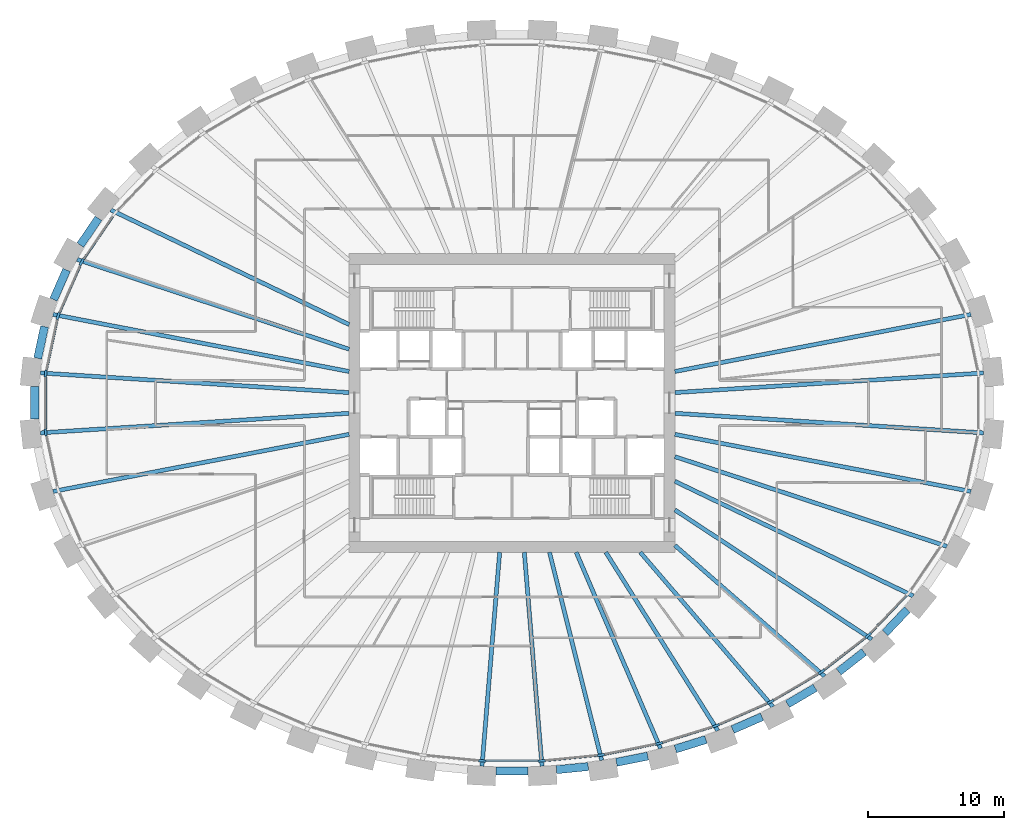
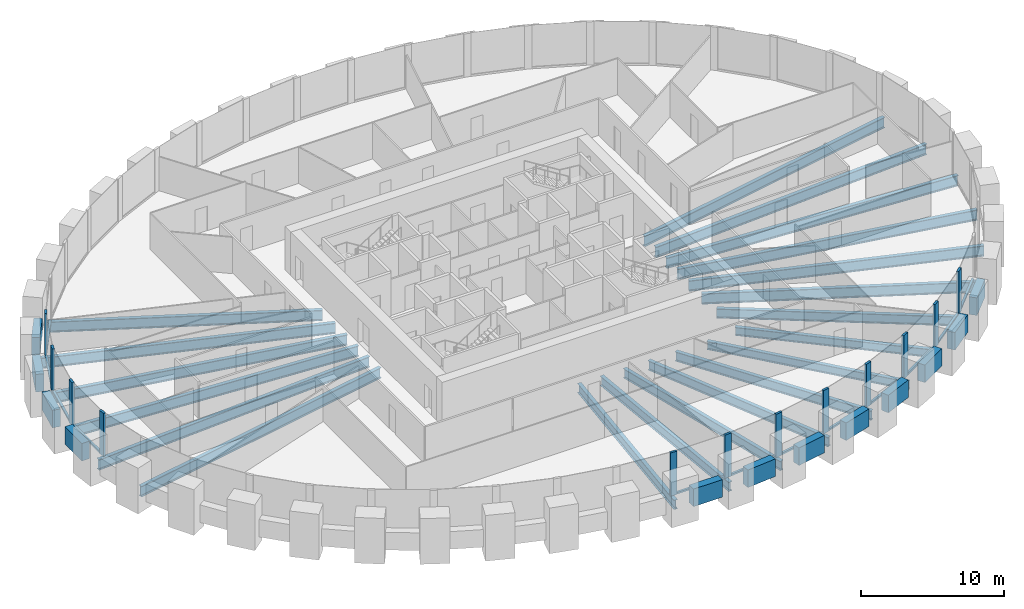
# One storey, part 2 of 11: 32 beams, 24 members, 1 element without a shape of its own.
"""IFC4 building model written with IfcOpenShell, lengths in metres."""

from ifc_helpers import new_model, si_unit, direction, frame, origin, origin_2d, place, context, subcontext, project, spatial, rectangle, i_section, extrude, source, transform, mapped, material, material_profile, profile_set, type_object, element, aggregate, save


model = new_model("IFC4")

# Units and contexts
model_context = context("Model", 3, precision=1e-05, world=origin(), true_north=direction((0.0, 1.0)))
body_context = subcontext(model_context, "Body", "Model", "MODEL_VIEW")
ifc_project = project(units=[si_unit("LENGTHUNIT", "METRE"), si_unit("AREAUNIT", "SQUARE_METRE"), si_unit("VOLUMEUNIT", "CUBIC_METRE"), si_unit("PLANEANGLEUNIT", "RADIAN"), si_unit("MASSUNIT", "GRAM", prefix="KILO")], contexts=[model_context])

# Site, building, storey
site_placement = place(None, origin())
site = spatial("IfcSite", under=ifc_project, at=site_placement, CompositionType="ELEMENT")
building_placement = place(site_placement, origin())
building = spatial("IfcBuilding", under=site, at=building_placement, Name="Embergate Tower", CompositionType="ELEMENT")
storey_placement = place(building_placement, frame((0.0, 0.0, 215.10009765625)))
storey = spatial("IfcBuildingStorey", under=building, at=storey_placement, Name="L49", CompositionType="ELEMENT", Elevation=215.10009765625)

# Beams
ifc_material_1 = material(Name="Concrete C60", Category="concrete")
ifc_material_profile_1 = material_profile(ifc_material_1, rectangle(XDim=0.60009765625, YDim=1.5, at=origin_2d()), Name="RC 600x1500")
ifc_profile_set_1 = profile_set([ifc_material_profile_1], Name="Concrete C60")
beam_type_1 = type_object("IfcBeamType", Name="Spandrel beam RC 600x1500 C60", PredefinedType="BEAM", material=ifc_profile_set_1)
shared_shape_1 = source(origin(), body_context, "Body", "SweptSolid", [
    extrude(rectangle(XDim=0.60009765625, YDim=1.5, at=origin_2d()), origin(), (0.0, 0.0, 1.0), 2.3896484375),
])
beam_1_placement = place(storey_placement, frame((-34.43603515625, 5.62109375, 0.0), z_axis=(-0.21045693854, -0.977603128586, 0.0), x_axis=(0.977603128586, -0.21045693854, 0.0)))
element("IfcBeam", 1, at=beam_1_placement, inside=storey, type_object=beam_type_1, Name="SPN-L49-20", PredefinedType="BEAM", context=body_context, shape_type="MappedRepresentation", body=[
    mapped(shared_shape_1, transform((0.0, 0.0, 0.0))),
])
shared_shape_2 = source(origin(), body_context, "Body", "SweptSolid", [
    extrude(rectangle(XDim=0.60009765625, YDim=1.5, at=origin_2d()), origin(), (0.0, 0.0, 1.0), 2.3837890625),
])
beam_2_placement = place(storey_placement, frame((-32.81298828125, 9.7958984375, 0.0), z_axis=(-0.401876968148, -0.915693672836, 0.0), x_axis=(0.915693672836, -0.401876968148, 0.0)))
element("IfcBeam", 2, at=beam_2_placement, inside=storey, type_object=beam_type_1, Name="SPN-L49-19", PredefinedType="BEAM", context=body_context, shape_type="MappedRepresentation", body=[
    mapped(shared_shape_2, transform((0.0, 0.0, 0.0))),
])
shared_shape_3 = source(origin(), body_context, "Body", "SweptSolid", [
    extrude(rectangle(XDim=0.60009765625, YDim=1.5, at=origin_2d()), origin(), (0.0, 0.0, 1.0), 2.379150390625),
])
beam_3_placement = place(storey_placement, frame((-30.458984375, 13.60009765625, 0.0), z_axis=(-0.562467199194, -0.826819599327, 0.0), x_axis=(0.826819599327, -0.562467199194, 0.0)))
element("IfcBeam", 3, at=beam_3_placement, inside=storey, type_object=beam_type_1, Name="SPN-L49-18", PredefinedType="BEAM", context=body_context, shape_type="MappedRepresentation", body=[
    mapped(shared_shape_3, transform((0.0, 0.0, 0.0))),
])
shared_shape_4 = source(origin(), body_context, "Body", "SweptSolid", [
    extrude(rectangle(XDim=0.60009765625, YDim=1.5, at=origin_2d()), origin(), (0.0, 0.0, 1.0), 2.370849609375),
])
beam_4_placement = place(storey_placement, frame((27.488037109375, -16.93701171875, 0.0), z_axis=(0.690017631866, 0.723792558482, 0.0), x_axis=(-0.723792558482, 0.690017631866, 0.0)))
element("IfcBeam", 4, at=beam_4_placement, inside=storey, type_object=beam_type_1, Name="SPN-L49-39", PredefinedType="BEAM", context=body_context, shape_type="MappedRepresentation", body=[
    mapped(shared_shape_4, transform((0.0, 0.0, 0.0))),
])
shared_shape_5 = source(origin(), body_context, "Body", "SweptSolid", [
    extrude(rectangle(XDim=0.60009765625, YDim=1.5, at=origin_2d()), origin(), (0.0, 0.0, 1.0), 2.366943359375),
])
beam_5_placement = place(storey_placement, frame((24.06591796875, -19.802001953125, 0.0), z_axis=(0.788379233054, 0.615189552, 0.0), x_axis=(-0.615189552, 0.788379233054, 0.0)))
element("IfcBeam", 5, at=beam_5_placement, inside=storey, type_object=beam_type_1, Name="SPN-L49-38", PredefinedType="BEAM", context=body_context, shape_type="MappedRepresentation", body=[
    mapped(shared_shape_5, transform((0.0, 0.0, 0.0))),
])
shared_shape_6 = source(origin(), body_context, "Body", "SweptSolid", [
    extrude(rectangle(XDim=0.60009765625, YDim=1.5, at=origin_2d()), origin(), (0.0, 0.0, 1.0), 2.36279296875),
])
beam_6_placement = place(storey_placement, frame((20.2919921875, -22.179931640625, 0.0), z_axis=(0.862170527893, 0.50661818052, 0.0), x_axis=(-0.50661818052, 0.862170527893, 0.0)))
element("IfcBeam", 6, at=beam_6_placement, inside=storey, type_object=beam_type_1, Name="SPN-L49-37", PredefinedType="BEAM", context=body_context, shape_type="MappedRepresentation", body=[
    mapped(shared_shape_6, transform((0.0, 0.0, 0.0))),
])
shared_shape_7 = source(origin(), body_context, "Body", "SweptSolid", [
    extrude(rectangle(XDim=0.60009765625, YDim=1.5, at=origin_2d()), origin(), (0.0, 0.0, 1.0), 2.357421875),
])
beam_7_placement = place(storey_placement, frame((16.2529296875, -24.06103515625, 0.0), z_axis=(0.91630938503, 0.400471111201, 0.0), x_axis=(-0.400471111201, 0.91630938503, 0.0)))
element("IfcBeam", 7, at=beam_7_placement, inside=storey, type_object=beam_type_1, Name="SPN-L49-36", PredefinedType="BEAM", context=body_context, shape_type="MappedRepresentation", body=[
    mapped(shared_shape_7, transform((0.0, 0.0, 0.0))),
])
shared_shape_8 = source(origin(), body_context, "Body", "SweptSolid", [
    extrude(rectangle(XDim=0.60009765625, YDim=1.5, at=origin_2d()), origin(), (0.0, 0.0, 1.0), 2.3564453125),
])
beam_8_placement = place(storey_placement, frame((12.035888671875, -25.49609375, 0.0), z_axis=(0.95483326256, 0.297142122073, 0.0), x_axis=(-0.297142122073, 0.95483326256, 0.0)))
element("IfcBeam", 8, at=beam_8_placement, inside=storey, type_object=beam_type_1, Name="SPN-L49-35", PredefinedType="BEAM", context=body_context, shape_type="MappedRepresentation", body=[
    mapped(shared_shape_8, transform((0.0, 0.0, 0.0))),
])
shared_shape_9 = source(origin(), body_context, "Body", "SweptSolid", [
    extrude(rectangle(XDim=0.60009765625, YDim=1.5, at=origin_2d()), origin(), (0.0, 0.0, 1.0), 2.353515625),
])
beam_9_placement = place(storey_placement, frame((7.693115234375, -26.47802734375, 0.0), z_axis=(0.980552738639, 0.196255768698, 0.0), x_axis=(-0.196255768698, 0.980552738639, 0.0)))
element("IfcBeam", 9, at=beam_9_placement, inside=storey, type_object=beam_type_1, Name="SPN-L49-34", PredefinedType="BEAM", context=body_context, shape_type="MappedRepresentation", body=[
    mapped(shared_shape_9, transform((0.0, 0.0, 0.0))),
])
shared_shape_10 = source(origin(), body_context, "Body", "SweptSolid", [
    extrude(rectangle(XDim=0.60009765625, YDim=1.5, at=origin_2d()), origin(), (0.0, 0.0, 1.0), 2.353271484375),
])
beam_10_placement = place(storey_placement, frame((3.27392578125, -27.01806640625, 0.0), z_axis=(0.99521330308, 0.097726564318, 0.0), x_axis=(-0.097726564318, 0.99521330308, 0.0)))
element("IfcBeam", 10, at=beam_10_placement, inside=storey, type_object=beam_type_1, Name="SPN-L49-33", PredefinedType="BEAM", context=body_context, shape_type="MappedRepresentation", body=[
    mapped(shared_shape_10, transform((0.0, 0.0, 0.0))),
])
shared_shape_11 = source(origin(), body_context, "Body", "SweptSolid", [
    extrude(rectangle(XDim=0.60009765625, YDim=1.5, at=origin_2d()), origin(), (0.0, 0.0, 1.0), 2.35205078125),
])
beam_11_placement = place(storey_placement, frame((-1.176025390625, -27.12109375, 0.0), z_axis=(1.0, 0.0, 0.0), x_axis=(0.0, 1.0, 0.0)))
element("IfcBeam", 11, at=beam_11_placement, inside=storey, type_object=beam_type_1, Name="SPN-L49-32", PredefinedType="BEAM", context=body_context, shape_type="MappedRepresentation", body=[
    mapped(shared_shape_11, transform((0.0, 0.0, 0.0))),
])
shared_shape_12 = source(origin(), body_context, "Body", "SweptSolid", [
    extrude(rectangle(XDim=0.60009765625, YDim=1.5, at=origin_2d()), origin(), (0.0, 0.0, 1.0), 2.39208984375),
])
beam_12_placement = place(storey_placement, frame((-35.160888671875, 1.196044921875, 0.0), z_axis=(0.0, -1.0, 0.0), x_axis=(1.0, 0.0, 0.0)))
element("IfcBeam", 12, at=beam_12_placement, inside=storey, type_object=beam_type_1, Name="SPN-L49-21", PredefinedType="BEAM", context=body_context, shape_type="MappedRepresentation", body=[
    mapped(shared_shape_12, transform((0.0, 0.0, 0.0))),
])
ifc_material_2 = material(Name="Steel Q355B", Category="steel")
ifc_material_profile_2 = material_profile(ifc_material_2, i_section(OverallWidth=0.300048828125, OverallDepth=0.89990234375, WebThickness=0.01611328125, FlangeThickness=0.028076171875, FilletRadius=0.028076171875, at=origin_2d()), Name="HN 900x300x16x28")
ifc_profile_set_2 = profile_set([ifc_material_profile_2], Name="Steel Q355 grade B")
beam_type_2 = type_object("IfcBeamType", Name="Radial girder HN 900x300x16x28", PredefinedType="BEAM", material=ifc_profile_set_2)
shared_shape_13 = source(origin(), body_context, "Body", "SweptSolid", [
    extrude(i_section(OverallWidth=0.300048828125, OverallDepth=0.89990234375, WebThickness=0.01611328125, FlangeThickness=0.028076171875, FilletRadius=0.028076171875, at=origin_2d()), origin(), (0.0, 0.0, 1.0), 22.786865234375),
])
for number, where, z_axis, x_axis, name in (
    (13, (34.740966796875, 2.20703125, -0.650146484375), (-0.997987128135, -0.063416812258, 0.0), (0.063416812258, -0.997987128135, 0.0), "GIR-L49-00"),
    (14, (-34.740966796875, 2.20703125, -0.650146484375), (0.997987128135, -0.063416812258, 0.0), (0.063416812258, 0.997987128135, 0.0), "GIR-L49-21"),
    (15, (-34.740966796875, -2.20703125, -0.650146484375), (0.997987128135, 0.063416812258, 0.0), (-0.063416812258, 0.997987128135, 0.0), "GIR-L49-22"),
    (16, (34.740966796875, -2.20703125, -0.650146484375), (-0.997987128135, 0.063416812258, 0.0), (-0.063416812258, -0.997987128135, 0.0), "GIR-L49-43"),
):
    element("IfcBeam", number, at=place(storey_placement, frame(where, z_axis=z_axis, x_axis=x_axis)), inside=storey, type_object=beam_type_2, Name=name, PredefinedType="BEAM", context=body_context, shape_type="MappedRepresentation", body=[
        mapped(shared_shape_13, transform((0.0, 0.0, 0.0))),
    ])
shared_shape_14 = source(origin(), body_context, "Body", "SweptSolid", [
    extrude(i_section(OverallWidth=0.300048828125, OverallDepth=0.89990234375, WebThickness=0.01611328125, FlangeThickness=0.028076171875, FilletRadius=0.028076171875, at=origin_2d()), origin(), (0.0, 0.0, 1.0), 22.214111328125),
])
for number, where, z_axis, x_axis, name in (
    (17, (33.81201171875, 6.52197265625, -0.650146484375), (-0.981902666563, -0.189386254508, 0.0), (0.189386254508, -0.981902666563, 0.0), "GIR-L49-01"),
    (18, (-33.81201171875, 6.52197265625, -0.650146484375), (0.981902666563, -0.189386254508, 0.0), (0.189386254508, 0.981902666563, 0.0), "GIR-L49-20"),
    (19, (-33.81201171875, -6.52197265625, -0.650146484375), (0.981902666563, 0.189386254508, 0.0), (-0.189386254508, 0.981902666563, 0.0), "GIR-L49-23"),
    (20, (33.81201171875, -6.52197265625, -0.650146484375), (-0.981902666563, 0.189386254508, 0.0), (-0.189386254508, -0.981902666563, 0.0), "GIR-L49-42"),
):
    element("IfcBeam", number, at=place(storey_placement, frame(where, z_axis=z_axis, x_axis=x_axis)), inside=storey, type_object=beam_type_2, Name=name, PredefinedType="BEAM", context=body_context, shape_type="MappedRepresentation", body=[
        mapped(shared_shape_14, transform((0.0, 0.0, 0.0))),
    ])
shared_shape_15 = source(origin(), body_context, "Body", "SweptSolid", [
    extrude(i_section(OverallWidth=0.300048828125, OverallDepth=0.89990234375, WebThickness=0.01611328125, FlangeThickness=0.028076171875, FilletRadius=0.028076171875, at=origin_2d()), origin(), (0.0, 0.0, 1.0), 21.100341796875),
])
for number, where, z_axis, x_axis, name in (
    (21, (-32.0390625, 10.56591796875, -0.650146484375), (0.949698867802, -0.313164590106, 0.0), (0.313164590106, 0.949698867802, 0.0), "GIR-L49-19"),
    (22, (32.0390625, -10.56591796875, -0.650146484375), (-0.949698867802, 0.313164590106, 0.0), (-0.313164590106, -0.949698867802, 0.0), "GIR-L49-41"),
):
    element("IfcBeam", number, at=place(storey_placement, frame(where, z_axis=z_axis, x_axis=x_axis)), inside=storey, type_object=beam_type_2, Name=name, PredefinedType="BEAM", context=body_context, shape_type="MappedRepresentation", body=[
        mapped(shared_shape_15, transform((0.0, 0.0, 0.0))),
    ])
shared_shape_16 = source(origin(), body_context, "Body", "SweptSolid", [
    extrude(i_section(OverallWidth=0.300048828125, OverallDepth=0.89990234375, WebThickness=0.01611328125, FlangeThickness=0.028076171875, FilletRadius=0.028076171875, at=origin_2d()), origin(), (0.0, 0.0, 1.0), 19.480712890625),
])
for number, where, z_axis, x_axis, name in (
    (23, (-29.554931640625, 14.218017578125, -0.650146484375), (0.901148212086, -0.433511130023, 0.0), (0.433511130023, 0.901148212086, 0.0), "GIR-L49-18"),
    (24, (29.554931640625, -14.218017578125, -0.650146484375), (-0.901148212086, 0.433511130023, 0.0), (-0.433511130023, -0.901148212086, 0.0), "GIR-L49-40"),
):
    element("IfcBeam", number, at=place(storey_placement, frame(where, z_axis=z_axis, x_axis=x_axis)), inside=storey, type_object=beam_type_2, Name=name, PredefinedType="BEAM", context=body_context, shape_type="MappedRepresentation", body=[
        mapped(shared_shape_16, transform((0.0, 0.0, 0.0))),
    ])
ifc_material_profile_3 = material_profile(ifc_material_2, i_section(OverallWidth=0.300048828125, OverallDepth=0.800048828125, WebThickness=0.013916015625, FlangeThickness=0.02587890625, FilletRadius=0.028076171875, at=origin_2d()), Name="HN 800x300x14x26")
ifc_profile_set_3 = profile_set([ifc_material_profile_3], Name="Steel Q355 grade B")
beam_type_3 = type_object("IfcBeamType", Name="Radial girder HN 800x300x14x26", PredefinedType="BEAM", material=ifc_profile_set_3)
shared_shape_17 = source(origin(), body_context, "Body", "SweptSolid", [
    extrude(i_section(OverallWidth=0.300048828125, OverallDepth=0.800048828125, WebThickness=0.013916015625, FlangeThickness=0.02587890625, FilletRadius=0.028076171875, at=origin_2d()), origin(), (0.0, 0.0, 1.0), 17.3583984375),
])
beam_13_placement = place(storey_placement, frame((26.507080078125, -17.416015625, -0.60009765625), z_axis=(-0.835738306524, 0.549127929547, 0.0), x_axis=(-0.549127929547, -0.835738306524, 0.0)))
element("IfcBeam", 25, at=beam_13_placement, inside=storey, type_object=beam_type_3, Name="GIR-L49-39", PredefinedType="BEAM", context=body_context, shape_type="MappedRepresentation", body=[
    mapped(shared_shape_17, transform((0.0, 0.0, 0.0))),
])
ifc_material_profile_4 = material_profile(ifc_material_2, i_section(OverallWidth=0.300048828125, OverallDepth=0.699951171875, WebThickness=0.012939453125, FlangeThickness=0.02392578125, FilletRadius=0.01806640625, at=origin_2d()), Name="HN 700x300x13x24")
ifc_profile_set_4 = profile_set([ifc_material_profile_4], Name="Steel Q355 grade B")
beam_type_4 = type_object("IfcBeamType", Name="Radial girder HN 700x300x13x24", PredefinedType="BEAM", material=ifc_profile_set_4)
shared_shape_18 = source(origin(), body_context, "Body", "SweptSolid", [
    extrude(i_section(OverallWidth=0.300048828125, OverallDepth=0.699951171875, WebThickness=0.012939453125, FlangeThickness=0.02392578125, FilletRadius=0.01806640625, at=origin_2d()), origin(), (0.0, 0.0, 1.0), 14.643798828125),
])
beam_14_placement = place(storey_placement, frame((23.02294921875, -20.134033203125, -0.550048828125), z_axis=(-0.752743981282, 0.658313374195, 0.0), x_axis=(-0.658313374195, -0.752743981282, 0.0)))
element("IfcBeam", 26, at=beam_14_placement, inside=storey, type_object=beam_type_4, Name="GIR-L49-38", PredefinedType="BEAM", context=body_context, shape_type="MappedRepresentation", body=[
    mapped(shared_shape_18, transform((0.0, 0.0, 0.0))),
])
shared_shape_19 = source(origin(), body_context, "Body", "SweptSolid", [
    extrude(i_section(OverallWidth=0.300048828125, OverallDepth=0.699951171875, WebThickness=0.012939453125, FlangeThickness=0.02392578125, FilletRadius=0.01806640625, at=origin_2d()), origin(), (0.0, 0.0, 1.0), 14.991943359375),
])
beam_15_placement = place(storey_placement, frame((19.212890625, -22.3740234375, -0.550048828125), z_axis=(-0.651471048315, 0.758673495785, 0.0), x_axis=(-0.758673495785, -0.651471048315, 0.0)))
element("IfcBeam", 27, at=beam_15_placement, inside=storey, type_object=beam_type_4, Name="GIR-L49-37", PredefinedType="BEAM", context=body_context, shape_type="MappedRepresentation", body=[
    mapped(shared_shape_19, transform((0.0, 0.0, 0.0))),
])
shared_shape_20 = source(origin(), body_context, "Body", "SweptSolid", [
    extrude(i_section(OverallWidth=0.300048828125, OverallDepth=0.800048828125, WebThickness=0.013916015625, FlangeThickness=0.02587890625, FilletRadius=0.028076171875, at=origin_2d()), origin(), (0.0, 0.0, 1.0), 15.522216796875),
])
beam_16_placement = place(storey_placement, frame((15.1640625, -24.14501953125, -0.60009765625), z_axis=(-0.531827158809, 0.846852922976, 0.0), x_axis=(-0.846852922976, -0.531827158809, 0.0)))
element("IfcBeam", 28, at=beam_16_placement, inside=storey, type_object=beam_type_3, Name="GIR-L49-36", PredefinedType="BEAM", context=body_context, shape_type="MappedRepresentation", body=[
    mapped(shared_shape_20, transform((0.0, 0.0, 0.0))),
])
shared_shape_21 = source(origin(), body_context, "Body", "SweptSolid", [
    extrude(i_section(OverallWidth=0.300048828125, OverallDepth=0.800048828125, WebThickness=0.013916015625, FlangeThickness=0.02587890625, FilletRadius=0.028076171875, at=origin_2d()), origin(), (0.0, 0.0, 1.0), 15.739013671875),
])
beam_17_placement = place(storey_placement, frame((10.943115234375, -25.4599609375, -0.60009765625), z_axis=(-0.394883218824, 0.918731322799, 0.0), x_axis=(-0.918731322799, -0.394883218824, 0.0)))
element("IfcBeam", 29, at=beam_17_placement, inside=storey, type_object=beam_type_3, Name="GIR-L49-35", PredefinedType="BEAM", context=body_context, shape_type="MappedRepresentation", body=[
    mapped(shared_shape_21, transform((0.0, 0.0, 0.0))),
])
shared_shape_22 = source(origin(), body_context, "Body", "SweptSolid", [
    extrude(i_section(OverallWidth=0.300048828125, OverallDepth=0.800048828125, WebThickness=0.013916015625, FlangeThickness=0.02587890625, FilletRadius=0.028076171875, at=origin_2d()), origin(), (0.0, 0.0, 1.0), 15.8046875),
])
beam_18_placement = place(storey_placement, frame((6.60888671875, -26.3291015625, -0.60009765625), z_axis=(-0.243465990326, 0.969909434718, 0.0), x_axis=(-0.969909434718, -0.243465990326, 0.0)))
element("IfcBeam", 30, at=beam_18_placement, inside=storey, type_object=beam_type_3, Name="GIR-L49-34", PredefinedType="BEAM", context=body_context, shape_type="MappedRepresentation", body=[
    mapped(shared_shape_22, transform((0.0, 0.0, 0.0))),
])
shared_shape_23 = source(origin(), body_context, "Body", "SweptSolid", [
    extrude(i_section(OverallWidth=0.300048828125, OverallDepth=0.800048828125, WebThickness=0.013916015625, FlangeThickness=0.02587890625, FilletRadius=0.028076171875, at=origin_2d()), origin(), (0.0, 0.0, 1.0), 15.814697265625),
])
for number, where, z_axis, x_axis, name in (
    (31, (-2.2099609375, -26.760986328125, -0.60009765625), (0.082328727809, 0.99660522805, 0.0), (-0.99660522805, 0.082328727809, 0.0), "GIR-L49-32"),
    (32, (2.2099609375, -26.760986328125, -0.60009765625), (-0.082328727809, 0.99660522805, 0.0), (-0.99660522805, -0.082328727809, 0.0), "GIR-L49-33"),
):
    element("IfcBeam", number, at=place(storey_placement, frame(where, z_axis=z_axis, x_axis=x_axis)), inside=storey, type_object=beam_type_3, Name=name, PredefinedType="BEAM", context=body_context, shape_type="MappedRepresentation", body=[
        mapped(shared_shape_23, transform((0.0, 0.0, 0.0))),
    ])

# Curtain wall, members
ifc_material_3 = material(Name="Aluminium and glass", Category="aluminium")
curtain_wall_type = type_object("IfcCurtainWallType", Name="Recessed office glazing", PredefinedType="NOTDEFINED", material=ifc_material_3)
curtain_wall_placement = place(storey_placement, origin())
curtain_wall = element("IfcCurtainWall", 33, at=curtain_wall_placement, inside=storey, type_object=curtain_wall_type, Name="Recessed office glazing ring", ObjectType="RECESSED OFFICE GLAZING", PredefinedType="USERDEFINED")
ifc_material_4 = material(Name="Aluminium, thermally broken", Category="aluminium")
ifc_material_profile_5 = material_profile(ifc_material_4, rectangle(XDim=0.179931640625, YDim=0.52001953125, at=origin_2d()), Name="AL 520x180")
ifc_profile_set_5 = profile_set([ifc_material_profile_5], Name="Aluminium, thermally broken")
member_type_1 = type_object("IfcMemberType", Name="Office mullion", PredefinedType="MULLION", material=ifc_profile_set_5)
shared_shape_24 = source(origin(), body_context, "Body", "SweptSolid", [
    extrude(rectangle(XDim=0.179931640625, YDim=0.52001953125, at=origin_2d()), origin(), (0.0, 0.0, 1.0), 3.699951171875),
])
member_1_placement = place(storey_placement, frame((-31.697998046875, 10.376220703125, 0.0), z_axis=(0.0, 0.0, 1.0), x_axis=(0.875002740779, -0.484117964581, 0.0)))
member_1 = element("IfcMember", 34, at=member_1_placement, type_object=member_type_1, Name="CW mullion 20", PredefinedType="MULLION", context=body_context, shape_type="MappedRepresentation", body=[
    mapped(shared_shape_24, transform((0.0, 0.0, 0.0))),
])
member_2_placement = place(storey_placement, frame((-33.44140625, 6.401611328125, 0.0), z_axis=(0.0, 0.0, 1.0), x_axis=(0.951497797992, -0.307655554826, 0.0)))
member_2 = element("IfcMember", 35, at=member_2_placement, type_object=member_type_1, Name="CW mullion 21", PredefinedType="MULLION", context=body_context, shape_type="MappedRepresentation", body=[
    mapped(shared_shape_24, transform((0.0, 0.0, 0.0))),
])
member_3_placement = place(storey_placement, frame((-34.35302734375, 2.165283203125, 0.0), z_axis=(0.0, 0.0, 1.0), x_axis=(0.994384954736, -0.105823257345, 0.0)))
member_3 = element("IfcMember", 36, at=member_3_placement, type_object=member_type_1, Name="CW mullion 22", PredefinedType="MULLION", context=body_context, shape_type="MappedRepresentation", body=[
    mapped(shared_shape_24, transform((0.0, 0.0, 0.0))),
])
member_4_placement = place(storey_placement, frame((-34.35302734375, -2.165283203125, 0.0), z_axis=(0.0, 0.0, 1.0), x_axis=(0.994384954736, 0.105823257345, 0.0)))
member_4 = element("IfcMember", 37, at=member_4_placement, type_object=member_type_1, Name="CW mullion 23", PredefinedType="MULLION", context=body_context, shape_type="MappedRepresentation", body=[
    mapped(shared_shape_24, transform((0.0, 0.0, 0.0))),
])
member_5_placement = place(storey_placement, frame((-2.191162109375, -26.37158203125, 0.0), z_axis=(0.0, 0.0, 1.0), x_axis=(0.048971796621, 0.998800161762, 0.0)))
member_5 = element("IfcMember", 38, at=member_5_placement, type_object=member_type_1, Name="CW mullion 33", PredefinedType="MULLION", context=body_context, shape_type="MappedRepresentation", body=[
    mapped(shared_shape_24, transform((0.0, 0.0, 0.0))),
])
member_6_placement = place(storey_placement, frame((2.191162109375, -26.37158203125, 0.0), z_axis=(0.0, 0.0, 1.0), x_axis=(-0.048971796621, 0.998800161762, 0.0)))
member_6 = element("IfcMember", 39, at=member_6_placement, type_object=member_type_1, Name="CW mullion 34", PredefinedType="MULLION", context=body_context, shape_type="MappedRepresentation", body=[
    mapped(shared_shape_24, transform((0.0, 0.0, 0.0))),
])
member_7_placement = place(storey_placement, frame((6.55224609375, -25.94287109375, 0.0), z_axis=(0.0, 0.0, 1.0), x_axis=(-0.14741410908, 0.98907486089, 0.0)))
member_7 = element("IfcMember", 40, at=member_7_placement, type_object=member_type_1, Name="CW mullion 35", PredefinedType="MULLION", context=body_context, shape_type="MappedRepresentation", body=[
    mapped(shared_shape_24, transform((0.0, 0.0, 0.0))),
])
member_8_placement = place(storey_placement, frame((10.847412109375, -25.081298828125, 0.0), z_axis=(0.0, 0.0, 1.0), x_axis=(-0.247315263593, 0.968935065107, 0.0)))
member_8 = element("IfcMember", 41, at=member_8_placement, type_object=member_type_1, Name="CW mullion 36", PredefinedType="MULLION", context=body_context, shape_type="MappedRepresentation", body=[
    mapped(shared_shape_24, transform((0.0, 0.0, 0.0))),
])
member_9_placement = place(storey_placement, frame((15.02783203125, -23.779296875, 0.0), z_axis=(0.0, 0.0, 1.0), x_axis=(-0.34950595337, 0.936934143128, 0.0)))
member_9 = element("IfcMember", 42, at=member_9_placement, type_object=member_type_1, Name="CW mullion 37", PredefinedType="MULLION", context=body_context, shape_type="MappedRepresentation", body=[
    mapped(shared_shape_24, transform((0.0, 0.0, 0.0))),
])
member_10_placement = place(storey_placement, frame((19.03662109375, -22.026611328125, 0.0), z_axis=(0.0, 0.0, 1.0), x_axis=(-0.454514489796, 0.890739343784, 0.0)))
member_10 = element("IfcMember", 43, at=member_10_placement, type_object=member_type_1, Name="CW mullion 38", PredefinedType="MULLION", context=body_context, shape_type="MappedRepresentation", body=[
    mapped(shared_shape_24, transform((0.0, 0.0, 0.0))),
])
member_11_placement = place(storey_placement, frame((22.804443359375, -19.811279296875, 0.0), z_axis=(0.0, 0.0, 1.0), x_axis=(-0.562220505278, 0.826987365953, 0.0)))
member_11 = element("IfcMember", 44, at=member_11_placement, type_object=member_type_1, Name="CW mullion 39", PredefinedType="MULLION", context=body_context, shape_type="MappedRepresentation", body=[
    mapped(shared_shape_24, transform((0.0, 0.0, 0.0))),
])
member_12_placement = place(storey_placement, frame((26.245361328125, -17.125732421875, 0.0), z_axis=(0.0, 0.0, 1.0), x_axis=(-0.671230415135, 0.741248763775, 0.0)))
member_12 = element("IfcMember", 45, at=member_12_placement, type_object=member_type_1, Name="CW mullion 40", PredefinedType="MULLION", context=body_context, shape_type="MappedRepresentation", body=[
    mapped(shared_shape_24, transform((0.0, 0.0, 0.0))),
])
ifc_material_profile_6 = material_profile(ifc_material_4, rectangle(XDim=0.179931640625, YDim=0.14990234375, at=origin_2d()), Name="AL 150x180")
ifc_profile_set_6 = profile_set([ifc_material_profile_6], Name="Aluminium, thermally broken")
member_type_2 = type_object("IfcMemberType", Name="Office sill transom", PredefinedType="USERDEFINED", material=ifc_profile_set_6)
shared_shape_25 = source(origin(), body_context, "Body", "SweptSolid", [
    extrude(rectangle(XDim=0.179931640625, YDim=0.14990234375, at=origin_2d()), origin(), (0.0, 0.0, 1.0), 3.8134765625),
])
member_13_placement = place(storey_placement, frame((-33.49609375, 6.1474609375, 0.074951171875), z_axis=(-0.210377227089, -0.977620285347, 0.0), x_axis=(0.977620285347, -0.210377227089, 0.0)))
member_13 = element("IfcMember", 46, at=member_13_placement, type_object=member_type_2, Name="CW transom 21.1", ObjectType="TRANSOM", PredefinedType="USERDEFINED", context=body_context, shape_type="MappedRepresentation", body=[
    mapped(shared_shape_25, transform((0.0, 0.0, 0.0))),
])
shared_shape_26 = source(origin(), body_context, "Body", "SweptSolid", [
    extrude(rectangle(XDim=0.179931640625, YDim=0.14990234375, at=origin_2d()), origin(), (0.0, 0.0, 1.0), 3.8203125),
])
member_14_placement = place(storey_placement, frame((-31.802490234375, 10.13818359375, 0.074951171875), z_axis=(-0.401656793595, -0.915790270837, 0.0), x_axis=(0.915790270837, -0.401656793595, 0.0)))
member_14 = element("IfcMember", 47, at=member_14_placement, type_object=member_type_2, Name="CW transom 20.1", ObjectType="TRANSOM", PredefinedType="USERDEFINED", context=body_context, shape_type="MappedRepresentation", body=[
    mapped(shared_shape_26, transform((0.0, 0.0, 0.0))),
])
shared_shape_27 = source(origin(), body_context, "Body", "SweptSolid", [
    extrude(rectangle(XDim=0.179931640625, YDim=0.14990234375, at=origin_2d()), origin(), (0.0, 0.0, 1.0), 3.828857421875),
])
member_15_placement = place(storey_placement, frame((-29.398681640625, 13.75732421875, 0.074951171875), z_axis=(-0.56238675743, -0.826874316367, 0.0), x_axis=(0.826874316367, -0.56238675743, 0.0)))
member_15 = element("IfcMember", 48, at=member_15_placement, type_object=member_type_2, Name="CW transom 19.1", ObjectType="TRANSOM", PredefinedType="USERDEFINED", context=body_context, shape_type="MappedRepresentation", body=[
    mapped(shared_shape_27, transform((0.0, 0.0, 0.0))),
])
shared_shape_28 = source(origin(), body_context, "Body", "SweptSolid", [
    extrude(rectangle(XDim=0.179931640625, YDim=0.14990234375, at=origin_2d()), origin(), (0.0, 0.0, 1.0), 3.83740234375),
])
member_16_placement = place(storey_placement, frame((26.4248046875, -16.9375, 0.074951171875), z_axis=(0.690110982846, 0.723703552123, 0.0), x_axis=(-0.723703552123, 0.690110982846, 0.0)))
member_16 = element("IfcMember", 49, at=member_16_placement, type_object=member_type_2, Name="CW transom 40.1", ObjectType="TRANSOM", PredefinedType="USERDEFINED", context=body_context, shape_type="MappedRepresentation", body=[
    mapped(shared_shape_28, transform((0.0, 0.0, 0.0))),
])
shared_shape_29 = source(origin(), body_context, "Body", "SweptSolid", [
    extrude(rectangle(XDim=0.179931640625, YDim=0.14990234375, at=origin_2d()), origin(), (0.0, 0.0, 1.0), 3.8447265625),
])
member_17_placement = place(storey_placement, frame((23.009521484375, -19.6513671875, 0.074951171875), z_axis=(0.788284232177, 0.615311278379, 0.0), x_axis=(-0.615311278379, 0.788284232177, 0.0)))
member_17 = element("IfcMember", 50, at=member_17_placement, type_object=member_type_2, Name="CW transom 39.1", ObjectType="TRANSOM", PredefinedType="USERDEFINED", context=body_context, shape_type="MappedRepresentation", body=[
    mapped(shared_shape_29, transform((0.0, 0.0, 0.0))),
])
shared_shape_30 = source(origin(), body_context, "Body", "SweptSolid", [
    extrude(rectangle(XDim=0.179931640625, YDim=0.14990234375, at=origin_2d()), origin(), (0.0, 0.0, 1.0), 3.850830078125),
])
member_18_placement = place(storey_placement, frame((19.2607421875, -21.894775390625, 0.074951171875), z_axis=(0.862051539353, 0.506820622607, 0.0), x_axis=(-0.506820622607, 0.862051539353, 0.0)))
member_18 = element("IfcMember", 51, at=member_18_placement, type_object=member_type_2, Name="CW transom 38.1", ObjectType="TRANSOM", PredefinedType="USERDEFINED", context=body_context, shape_type="MappedRepresentation", body=[
    mapped(shared_shape_30, transform((0.0, 0.0, 0.0))),
])
shared_shape_31 = source(origin(), body_context, "Body", "SweptSolid", [
    extrude(rectangle(XDim=0.179931640625, YDim=0.14990234375, at=origin_2d()), origin(), (0.0, 0.0, 1.0), 3.855224609375),
])
member_19_placement = place(storey_placement, frame((15.26611328125, -23.67529296875, 0.074951171875), z_axis=(0.916221273565, 0.400672656749, 0.0), x_axis=(-0.400672656749, 0.916221273565, 0.0)))
member_19 = element("IfcMember", 52, at=member_19_placement, type_object=member_type_2, Name="CW transom 37.1", ObjectType="TRANSOM", PredefinedType="USERDEFINED", context=body_context, shape_type="MappedRepresentation", body=[
    mapped(shared_shape_31, transform((0.0, 0.0, 0.0))),
])
shared_shape_32 = source(origin(), body_context, "Body", "SweptSolid", [
    extrude(rectangle(XDim=0.179931640625, YDim=0.14990234375, at=origin_2d()), origin(), (0.0, 0.0, 1.0), 3.8583984375),
])
member_20_placement = place(storey_placement, frame((11.095703125, -25.004150390625, 0.074951171875), z_axis=(0.954755412544, 0.297392169061, 0.0), x_axis=(-0.297392169061, 0.954755412544, 0.0)))
member_20 = element("IfcMember", 53, at=member_20_placement, type_object=member_type_2, Name="CW transom 36.1", ObjectType="TRANSOM", PredefinedType="USERDEFINED", context=body_context, shape_type="MappedRepresentation", body=[
    mapped(shared_shape_32, transform((0.0, 0.0, 0.0))),
])
shared_shape_33 = source(origin(), body_context, "Body", "SweptSolid", [
    extrude(rectangle(XDim=0.179931640625, YDim=0.14990234375, at=origin_2d()), origin(), (0.0, 0.0, 1.0), 3.860595703125),
])
member_21_placement = place(storey_placement, frame((6.80712890625, -25.8916015625, 0.074951171875), z_axis=(0.980480823499, 0.196614736859, 0.0), x_axis=(-0.196614736859, 0.980480823499, 0.0)))
member_21 = element("IfcMember", 54, at=member_21_placement, type_object=member_type_2, Name="CW transom 35.1", ObjectType="TRANSOM", PredefinedType="USERDEFINED", context=body_context, shape_type="MappedRepresentation", body=[
    mapped(shared_shape_33, transform((0.0, 0.0, 0.0))),
])
shared_shape_34 = source(origin(), body_context, "Body", "SweptSolid", [
    extrude(rectangle(XDim=0.179931640625, YDim=0.14990234375, at=origin_2d()), origin(), (0.0, 0.0, 1.0), 3.862060546875),
])
member_22_placement = place(storey_placement, frame((2.449951171875, -26.34619140625, 0.074951171875), z_axis=(0.995200439085, 0.097857478225, 0.0), x_axis=(-0.097857478225, 0.995200439085, 0.0)))
member_22 = element("IfcMember", 55, at=member_22_placement, type_object=member_type_2, Name="CW transom 34.1", ObjectType="TRANSOM", PredefinedType="USERDEFINED", context=body_context, shape_type="MappedRepresentation", body=[
    mapped(shared_shape_34, transform((0.0, 0.0, 0.0))),
])
shared_shape_35 = source(origin(), body_context, "Body", "SweptSolid", [
    extrude(rectangle(XDim=0.179931640625, YDim=0.14990234375, at=origin_2d()), origin(), (0.0, 0.0, 1.0), 3.8623046875),
])
member_23_placement = place(storey_placement, frame((-1.93115234375, -26.37158203125, 0.074951171875), z_axis=(1.0, 0.0, 0.0), x_axis=(0.0, 1.0, 0.0)))
member_23 = element("IfcMember", 56, at=member_23_placement, type_object=member_type_2, Name="CW transom 33.1", ObjectType="TRANSOM", PredefinedType="USERDEFINED", context=body_context, shape_type="MappedRepresentation", body=[
    mapped(shared_shape_35, transform((0.0, 0.0, 0.0))),
])
shared_shape_36 = source(origin(), body_context, "Body", "SweptSolid", [
    extrude(rectangle(XDim=0.179931640625, YDim=0.14990234375, at=origin_2d()), origin(), (0.0, 0.0, 1.0), 3.810546875),
])
member_24_placement = place(storey_placement, frame((-34.35302734375, 1.9052734375, 0.074951171875), z_axis=(0.0, -1.0, 0.0), x_axis=(1.0, 0.0, 0.0)))
member_24 = element("IfcMember", 57, at=member_24_placement, type_object=member_type_2, Name="CW transom 22.1", ObjectType="TRANSOM", PredefinedType="USERDEFINED", context=body_context, shape_type="MappedRepresentation", body=[
    mapped(shared_shape_36, transform((0.0, 0.0, 0.0))),
])
aggregate(curtain_wall, [member_1, member_2, member_3, member_4, member_5, member_6, member_7, member_8, member_9, member_10, member_11, member_12, member_15, member_14, member_13, member_24, member_23, member_22, member_21, member_20, member_19, member_18, member_17, member_16])

save(model, "model.ifc")
